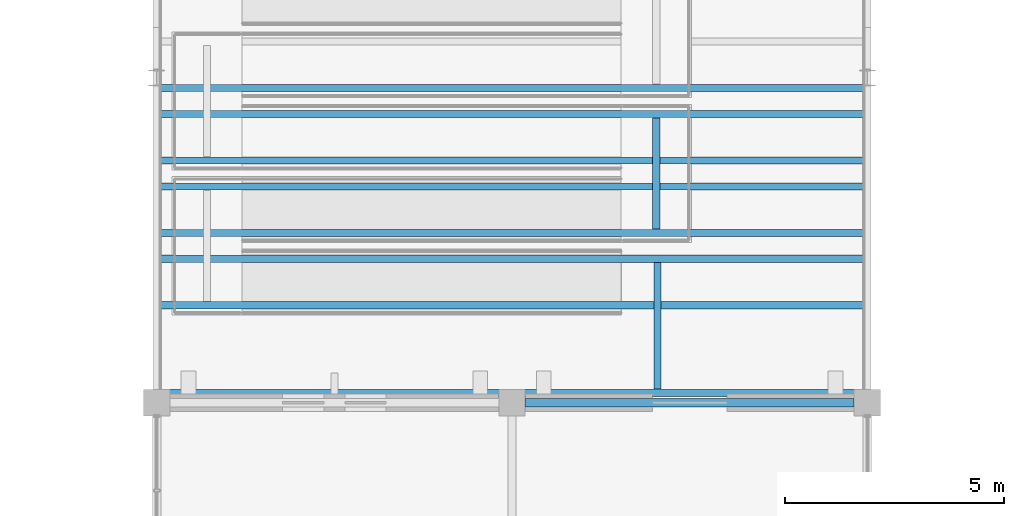
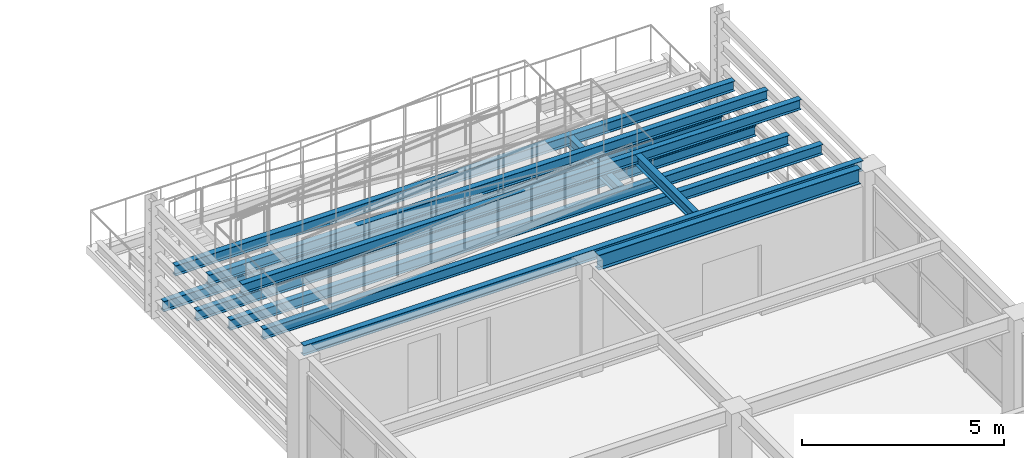
# One storey, part 55 of 121: 11 beams.
"""IFC4 building model written with IfcOpenShell, lengths in metres."""

from ifc_helpers import new_model, si_unit, direction, frame, origin, origin_2d, place, context, subcontext, project, spatial, i_section, extrude, material, material_profile, profile_set, type_object, element, save


model = new_model("IFC4")

# Units and contexts
model_context = context("Model", 3, precision=1e-05, world=origin(), true_north=direction((0.0, 1.0)))
body_context = subcontext(model_context, "Body", "Model", "MODEL_VIEW")
ifc_project = project(units=[si_unit("LENGTHUNIT", "METRE"), si_unit("AREAUNIT", "SQUARE_METRE"), si_unit("VOLUMEUNIT", "CUBIC_METRE"), si_unit("PLANEANGLEUNIT", "RADIAN"), si_unit("MASSUNIT", "GRAM", prefix="KILO")], contexts=[model_context])

# Site, building, storey
site_placement = place(None, origin())
site = spatial("IfcSite", under=ifc_project, at=site_placement, CompositionType="ELEMENT")
building_placement = place(site_placement, origin())
building = spatial("IfcBuilding", under=site, at=building_placement, Name="Cimatlan Art Gallery", CompositionType="ELEMENT")
storey_placement = place(building_placement, frame((0.0, 0.0, 10.199951171875)))
storey = spatial("IfcBuildingStorey", under=building, at=storey_placement, Name="L02", CompositionType="ELEMENT", Elevation=10.199951171875)

# Beams
ifc_material = material(Name="Steel ASTM A992 Grade 50", Category="steel")
ifc_material_profile_1 = material_profile(ifc_material, i_section(OverallWidth=0.1650390625, OverallDepth=0.31005859375, WebThickness=0.005859375, FlangeThickness=0.009765625, at=origin_2d()), Name="W12X26")
ifc_profile_set_1 = profile_set([ifc_material_profile_1], Name="Steel ASTM A992 Grade 50")
beam_type_1 = type_object("IfcBeamType", Name="BM-STL-W12X26", PredefinedType="JOIST", material=ifc_profile_set_1)
for number, where, z_axis, x_axis, name in (
    (1, (34.489990234375, 97.669921875, 0.364990234375), (1.0, 0.0, 0.0), (0.0, 1.0, 0.0), "BM-RMP-TER-B2-L1-EW1"),
    (2, (34.489990234375, 96.02001953125, 1.0849609375), (1.0, 0.0, 0.0), (0.0, 1.0, 0.0), "BM-RMP-TER-B2-L2-EW1"),
    (3, (34.489990234375, 94.3701171875, 1.804931640625), (1.0, 0.0, 0.0), (0.0, 1.0, 0.0), "BM-RMP-TER-B2-L3-EW1"),
    (4, (34.489990234375, 97.080078125, 1.804931640625), (1.0, 0.0, 0.0), (0.0, 1.0, 0.0), "BM-RMP-TER-B2-L3-EW2"),
):
    element("IfcBeam", number, at=place(storey_placement, frame(where, z_axis=z_axis, x_axis=x_axis)), inside=storey, type_object=beam_type_1, Name=name, PredefinedType="JOIST", context=body_context, shape_type="SweptSolid", body=[
        extrude(i_section(OverallWidth=0.1650390625, OverallDepth=0.31005859375, WebThickness=0.005859375, FlangeThickness=0.009765625, at=origin_2d()), origin(), (0.0, 0.0, 1.0), 16.02001953125),
    ])
beam_1_placement = place(storey_placement, frame((45.7900390625, 94.4599609375, 1.804931640625), z_axis=(0.0, 1.0, 0.0), x_axis=(-1.0, 0.0, 0.0)))
element("IfcBeam", 5, at=beam_1_placement, inside=storey, type_object=beam_type_1, Name="BM-RMP-TER-B2-L3-X1", PredefinedType="JOIST", context=body_context, shape_type="SweptSolid", body=[
    extrude(i_section(OverallWidth=0.1650390625, OverallDepth=0.31005859375, WebThickness=0.005859375, FlangeThickness=0.009765625, at=origin_2d()), origin(), (0.0, 0.0, 1.0), 2.530029296875),
])
for number, where, z_axis, x_axis, name in (
    (6, (34.489990234375, 92.719970703125, 2.525146484375), (1.0, 0.0, 0.0), (0.0, 1.0, 0.0), "BM-RMP-TER-B2-L4-EW1"),
    (7, (34.489990234375, 95.429931640625, 2.525146484375), (1.0, 0.0, 0.0), (0.0, 1.0, 0.0), "BM-RMP-TER-B2-L4-EW2"),
    (8, (34.489990234375, 90.719970703125, 3.2451171875), (1.0, 0.0, 0.0), (0.0, 1.0, 0.0), "BM-RMP-TER-B2-L5-EW1"),
    (9, (34.489990234375, 93.780029296875, 3.2451171875), (1.0, 0.0, 0.0), (0.0, 1.0, 0.0), "BM-RMP-TER-B2-L5-EW2"),
):
    element("IfcBeam", number, at=place(storey_placement, frame(where, z_axis=z_axis, x_axis=x_axis)), inside=storey, type_object=beam_type_1, Name=name, PredefinedType="JOIST", context=body_context, shape_type="SweptSolid", body=[
        extrude(i_section(OverallWidth=0.1650390625, OverallDepth=0.31005859375, WebThickness=0.005859375, FlangeThickness=0.009765625, at=origin_2d()), origin(), (0.0, 0.0, 1.0), 16.02001953125),
    ])
beam_2_placement = place(storey_placement, frame((45.81494140625, 90.81005859375, 3.2451171875), z_axis=(0.0, 1.0, 0.0), x_axis=(-1.0, 0.0, 0.0)))
element("IfcBeam", 10, at=beam_2_placement, inside=storey, type_object=beam_type_1, Name="BM-RMP-TER-B2-L5-X1", PredefinedType="JOIST", context=body_context, shape_type="SweptSolid", body=[
    extrude(i_section(OverallWidth=0.1650390625, OverallDepth=0.31005859375, WebThickness=0.005859375, FlangeThickness=0.009765625, at=origin_2d()), origin(), (0.0, 0.0, 1.0), 2.8798828125),
])
ifc_material_profile_2 = material_profile(ifc_material, i_section(OverallWidth=0.19091796875, OverallDepth=0.45703125, WebThickness=0.009033203125, FlangeThickness=0.014404296875, at=origin_2d()), Name="W18X50")
ifc_profile_set_2 = profile_set([ifc_material_profile_2], Name="Steel ASTM A992 Grade 50")
beam_type_2 = type_object("IfcBeamType", Name="BM-STL-W18X50", PredefinedType="BEAM", material=ifc_profile_set_2)
beam_3_placement = place(storey_placement, frame((42.800048828125, 90.5, 3.1416015625), z_axis=(1.0, 0.0, 0.0), x_axis=(0.0, 1.0, 0.0)))
element("IfcBeam", 11, at=beam_3_placement, inside=storey, type_object=beam_type_2, Name="BM-X-L02-05-12", PredefinedType="BEAM", context=body_context, shape_type="SweptSolid", body=[
    extrude(i_section(OverallWidth=0.19091796875, OverallDepth=0.45703125, WebThickness=0.009033203125, FlangeThickness=0.014404296875, at=origin_2d()), origin(), (0.0, 0.0, 1.0), 7.5),
])

save(model, "model.ifc")
